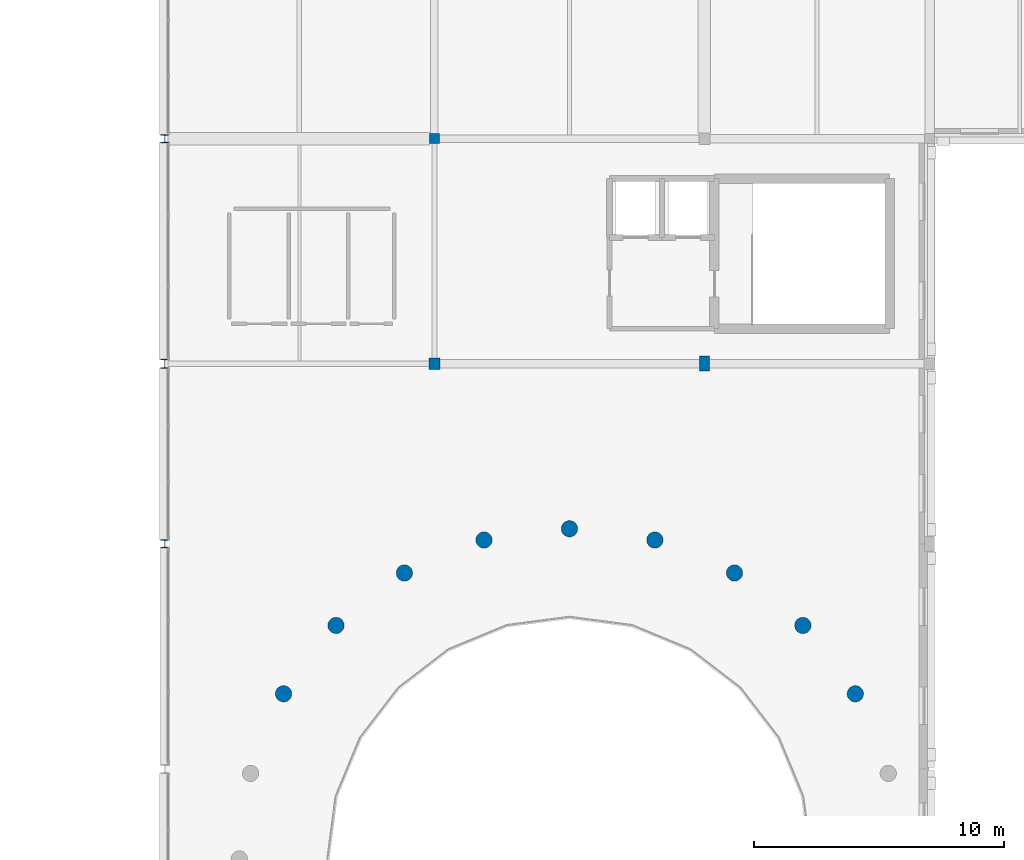
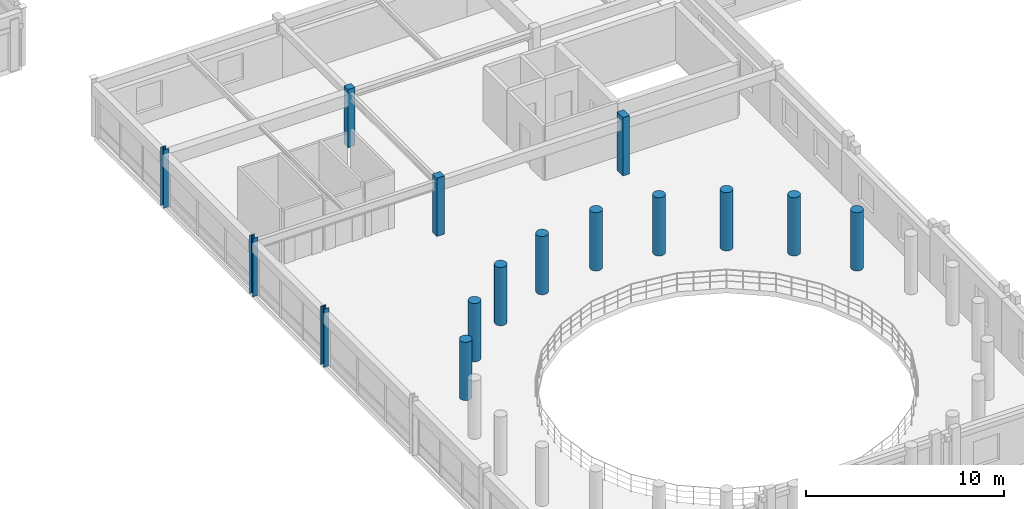
# One storey, part 6 of 52: 15 columns.
"""IFC4 building model written with IfcOpenShell, lengths in metres."""

from ifc_helpers import new_model, si_unit, direction, frame, origin, origin_2d, place, context, subcontext, project, spatial, rectangle, circle, i_section, extrude, material, material_profile, profile_set, type_object, element, save


model = new_model("IFC4")

# Units and contexts
model_context = context("Model", 3, precision=1e-05, world=origin(), true_north=direction((0.0, 1.0)))
body_context = subcontext(model_context, "Body", "Model", "MODEL_VIEW")
ifc_project = project(units=[si_unit("LENGTHUNIT", "METRE"), si_unit("AREAUNIT", "SQUARE_METRE"), si_unit("VOLUMEUNIT", "CUBIC_METRE"), si_unit("PLANEANGLEUNIT", "RADIAN"), si_unit("MASSUNIT", "GRAM", prefix="KILO")], contexts=[model_context])

# Site, building, storey
site_placement = place(None, origin())
site = spatial("IfcSite", under=ifc_project, at=site_placement, CompositionType="ELEMENT")
building_placement = place(site_placement, origin())
building = spatial("IfcBuilding", under=site, at=building_placement, Name="Clarverna Civic Hall", CompositionType="ELEMENT")
storey_placement = place(building_placement, frame((0.0, 0.0, 16.800048828125)))
storey = spatial("IfcBuildingStorey", under=building, at=storey_placement, Name="L04", CompositionType="ELEMENT", Elevation=16.800048828125)

# Columns
ifc_material_1 = material(Name="Concrete C35/45", Category="concrete")
ifc_material_profile_1 = material_profile(ifc_material_1, circle(Radius=0.324951171875, at=origin_2d()), Name="RC D650")
ifc_profile_set_1 = profile_set([ifc_material_profile_1], Name="Concrete C35/45")
column_type_1 = type_object("IfcColumnType", Name="C-DR4", PredefinedType="COLUMN", material=ifc_profile_set_1)
for number, where, z_axis, x_axis, name in (
    (1, (94.2314453125, 65.60009765625, 0.0), (0.0, 0.0, 1.0), (1.0, 0.0, 0.0), "C-DR4-003"),
    (2, (92.1337890625, 68.333740234375, 0.0), (0.0, 0.0, 1.0), (1.0, 0.0, 0.0), "C-DR4-004"),
    (3, (89.39990234375, 70.431396484375, 0.0), (0.0, 0.0, 1.0), (1.0, 0.0, 0.0), "C-DR4-005"),
    (4, (86.21630859375, 71.750244140625, 0.0), (0.0, 0.0, 1.0), (1.0, 0.0, 0.0), "C-DR4-006"),
    (5, (82.800048828125, 72.199951171875, 0.0), (0.0, 0.0, 1.0), (1.0, 0.0, 0.0), "C-DR4-007"),
    (6, (79.383544921875, 71.750244140625, 0.0), (0.0, 0.0, 1.0), (1.0, 0.0, 0.0), "C-DR4-008"),
    (7, (76.199951171875, 70.431396484375, 0.0), (0.0, 0.0, 1.0), (1.0, 0.0, 0.0), "C-DR4-009"),
    (8, (73.46630859375, 68.333740234375, 0.0), (0.0, 0.0, 1.0), (1.0, 0.0, 0.0), "C-DR4-010"),
    (9, (71.368408203125, 65.60009765625, 0.0), (0.0, 0.0, 1.0), (1.0, 0.0, 0.0), "C-DR4-011"),
):
    element("IfcColumn", number, at=place(storey_placement, frame(where, z_axis=z_axis, x_axis=x_axis)), inside=storey, type_object=column_type_1, Name=name, PredefinedType="COLUMN", context=body_context, shape_type="SweptSolid", body=[
        extrude(circle(Radius=0.324951171875, at=origin_2d()), origin(), (0.0, 0.0, 1.0), 3.599853515625),
    ])
ifc_material_profile_2 = material_profile(ifc_material_1, rectangle(XDim=0.449951171875, YDim=0.449951171875, at=origin_2d()), Name="RC 450x450")
ifc_profile_set_2 = profile_set([ifc_material_profile_2], Name="Concrete C35/45")
column_type_2 = type_object("IfcColumnType", Name="C-RC13", PredefinedType="COLUMN", material=ifc_profile_set_2)
column_1_placement = place(storey_placement, frame((77.39990234375, 78.800048828125, 0.0), z_axis=(0.0, 0.0, 1.0), x_axis=(1.0, 0.0, 0.0)))
element("IfcColumn", 10, at=column_1_placement, inside=storey, type_object=column_type_2, Name="C-RC13-017", PredefinedType="COLUMN", context=body_context, shape_type="SweptSolid", body=[
    extrude(rectangle(XDim=0.449951171875, YDim=0.449951171875, at=origin_2d()), origin(), (0.0, 0.0, 1.0), 3.599853515625),
])
ifc_material_profile_3 = material_profile(ifc_material_1, rectangle(XDim=0.39990234375, YDim=0.39990234375, at=origin_2d()), Name="RC 400x400")
ifc_profile_set_3 = profile_set([ifc_material_profile_3], Name="Concrete C35/45")
column_type_3 = type_object("IfcColumnType", Name="C-RC14", PredefinedType="COLUMN", material=ifc_profile_set_3)
column_2_placement = place(storey_placement, frame((77.39990234375, 87.800048828125, 0.0), z_axis=(0.0, 0.0, 1.0), x_axis=(1.0, 0.0, 0.0)))
element("IfcColumn", 11, at=column_2_placement, inside=storey, type_object=column_type_3, Name="C-RC14-001", PredefinedType="COLUMN", context=body_context, shape_type="SweptSolid", body=[
    extrude(rectangle(XDim=0.39990234375, YDim=0.39990234375, at=origin_2d()), origin(), (0.0, 0.0, 1.0), 3.599853515625),
])
ifc_material_profile_4 = material_profile(ifc_material_1, rectangle(XDim=0.39990234375, YDim=0.60009765625, at=origin_2d()), Name="RC 400x600")
ifc_profile_set_4 = profile_set([ifc_material_profile_4], Name="Concrete C35/45")
column_type_4 = type_object("IfcColumnType", Name="C-RC19", PredefinedType="COLUMN", material=ifc_profile_set_4)
column_3_placement = place(storey_placement, frame((88.199951171875, 78.800048828125, 0.0), z_axis=(0.0, 0.0, 1.0), x_axis=(1.0, 0.0, 0.0)))
element("IfcColumn", 12, at=column_3_placement, inside=storey, type_object=column_type_4, Name="C-RC19-003", PredefinedType="COLUMN", context=body_context, shape_type="SweptSolid", body=[
    extrude(rectangle(XDim=0.39990234375, YDim=0.60009765625, at=origin_2d()), origin(), (0.0, 0.0, 1.0), 3.599853515625),
])
ifc_material_2 = material(Name="Steel S355", Category="steel")
ifc_material_profile_5 = material_profile(ifc_material_2, i_section(OverallWidth=0.300048828125, OverallDepth=0.35009765625, WebThickness=0.010009765625, FlangeThickness=0.017578125, FilletRadius=0.027099609375, at=origin_2d()), Name="HEA 360")
ifc_profile_set_5 = profile_set([ifc_material_profile_5], Name="Steel S355")
column_type_5 = type_object("IfcColumnType", Name="C-ST11", PredefinedType="COLUMN", material=ifc_profile_set_5)
column_4_placement = place(storey_placement, frame((66.60009765625, 78.800048828125, 0.0), z_axis=(0.0, 0.0, 1.0), x_axis=(1.0, 0.0, 0.0)))
element("IfcColumn", 13, at=column_4_placement, inside=storey, type_object=column_type_5, Name="C-ST11-005", PredefinedType="COLUMN", context=body_context, shape_type="SweptSolid", body=[
    extrude(i_section(OverallWidth=0.300048828125, OverallDepth=0.35009765625, WebThickness=0.010009765625, FlangeThickness=0.017578125, FilletRadius=0.027099609375, at=origin_2d()), origin(), (0.0, 0.0, 1.0), 3.599853515625),
])
ifc_material_profile_6 = material_profile(ifc_material_2, i_section(OverallWidth=0.300048828125, OverallDepth=0.31005859375, WebThickness=0.009033203125, FlangeThickness=0.015380859375, FilletRadius=0.027099609375, at=origin_2d()), Name="HEA 320")
ifc_profile_set_6 = profile_set([ifc_material_profile_6], Name="Steel S355")
column_type_6 = type_object("IfcColumnType", Name="C-ST12", PredefinedType="COLUMN", material=ifc_profile_set_6)
column_5_placement = place(storey_placement, frame((66.60009765625, 87.800048828125, 0.0), z_axis=(0.0, 0.0, 1.0), x_axis=(1.0, 0.0, 0.0)))
element("IfcColumn", 14, at=column_5_placement, inside=storey, type_object=column_type_6, Name="C-ST12-005", PredefinedType="COLUMN", context=body_context, shape_type="SweptSolid", body=[
    extrude(i_section(OverallWidth=0.300048828125, OverallDepth=0.31005859375, WebThickness=0.009033203125, FlangeThickness=0.015380859375, FilletRadius=0.027099609375, at=origin_2d()), origin(), (0.0, 0.0, 1.0), 3.599853515625),
])
ifc_material_profile_7 = material_profile(ifc_material_2, i_section(OverallWidth=0.300048828125, OverallDepth=0.320068359375, WebThickness=0.011474609375, FlangeThickness=0.0205078125, FilletRadius=0.027099609375, at=origin_2d()), Name="HEB 320")
ifc_profile_set_7 = profile_set([ifc_material_profile_7], Name="Steel S355")
column_type_7 = type_object("IfcColumnType", Name="C-ST6", PredefinedType="COLUMN", material=ifc_profile_set_7)
column_6_placement = place(storey_placement, frame((66.60009765625, 71.60009765625, 0.0), z_axis=(0.0, 0.0, 1.0), x_axis=(1.0, 0.0, 0.0)))
element("IfcColumn", 15, at=column_6_placement, inside=storey, type_object=column_type_7, Name="C-ST6-006", PredefinedType="COLUMN", context=body_context, shape_type="SweptSolid", body=[
    extrude(i_section(OverallWidth=0.300048828125, OverallDepth=0.320068359375, WebThickness=0.011474609375, FlangeThickness=0.0205078125, FilletRadius=0.027099609375, at=origin_2d()), origin(), (0.0, 0.0, 1.0), 3.599853515625),
])

save(model, "model.ifc")
